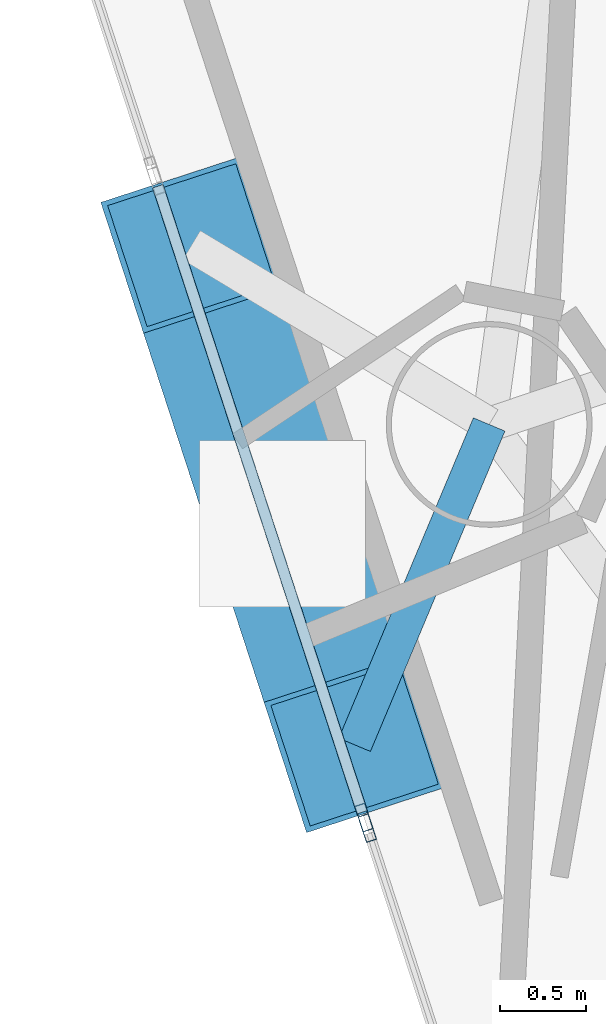
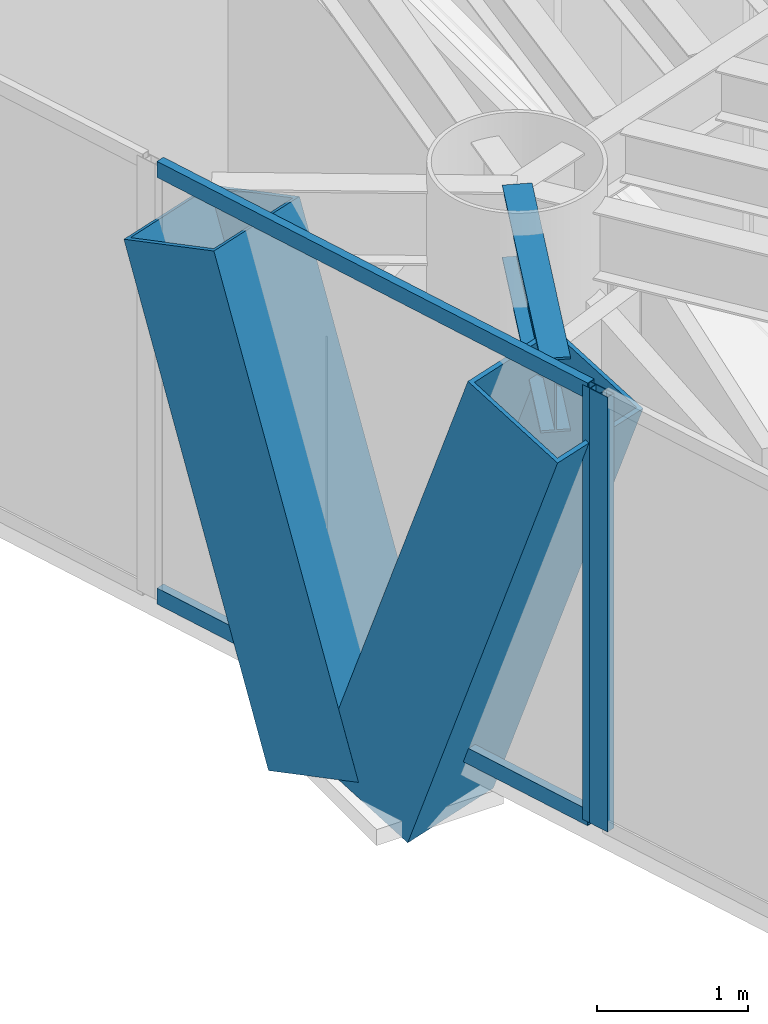
# One storey, part 3 of 24: 6 members, 1 beam, 2 elements without a shape of their own.
"""IFC4 building model written with IfcOpenShell, lengths in metres."""

from ifc_helpers import new_model, si_unit, direction, frame, origin, origin_2d, place, context, subcontext, project, spatial, hollow_rectangle, i_section, extrude, material, layer, layer_set, material_profile, profile_set, type_object, element, aggregate, save


model = new_model("IFC4")

# Units and contexts
model_context = context("Model", 3, precision=1e-05, world=origin(), true_north=direction((0.0, 1.0)))
body_context = subcontext(model_context, "Body", "Model", "MODEL_VIEW")
ifc_project = project(units=[si_unit("LENGTHUNIT", "METRE"), si_unit("AREAUNIT", "SQUARE_METRE"), si_unit("VOLUMEUNIT", "CUBIC_METRE"), si_unit("PLANEANGLEUNIT", "RADIAN"), si_unit("MASSUNIT", "GRAM", prefix="KILO")], contexts=[model_context])

# Site, building, storey
site_placement = place(None, origin())
site = spatial("IfcSite", under=ifc_project, at=site_placement, CompositionType="ELEMENT")
building_placement = place(site_placement, origin())
building = spatial("IfcBuilding", under=site, at=building_placement, Name="Qianvela Tower", CompositionType="ELEMENT")
storey_placement = place(building_placement, frame((0.0, 0.0, 222.5)))
storey = spatial("IfcBuildingStorey", under=building, at=storey_placement, Name="L57", CompositionType="ELEMENT", Elevation=222.5)

# Beam
ifc_material_1 = material(Name="Steel Q355B", Category="steel")
ifc_material_profile_1 = material_profile(ifc_material_1, i_section(OverallWidth=0.199951171875, OverallDepth=0.60009765625, WebThickness=0.010986328125, FlangeThickness=0.01708984375, at=origin_2d()), Name="HN600x200x11x17")
ifc_profile_set_1 = profile_set([ifc_material_profile_1], Name="Steel Q355B")
beam_type = type_object("IfcBeamType", Name="BM-HN600-GIRD", PredefinedType="BEAM", material=ifc_profile_set_1)
beam_placement = place(storey_placement, frame((24.471923828125, 22.4599609375, 3.218017578125), z_axis=(-0.387205857675, -0.92199328836, 0.0), x_axis=(0.92199328836, -0.387205857675, 0.0)))
element("IfcBeam", 1, at=beam_placement, inside=storey, type_object=beam_type, Name="L57 Mega-Brace Column Tie Bracket F2-2", PredefinedType="BEAM", context=body_context, shape_type="SweptSolid", body=[
    extrude(i_section(OverallWidth=0.199951171875, OverallDepth=0.60009765625, WebThickness=0.010986328125, FlangeThickness=0.01708984375, at=origin_2d()), origin(), (0.0, 0.0, 1.0), 2.0263671875),
])

# Curtain wall, members
ifc_material_2 = material(Name="Anodised Architectural Aluminium and Insulated Spandrel Panel", Category="aluminium")
ifc_layer_1 = layer(ifc_material_2, 0.179931640625)
ifc_layer_set_1 = layer_set([ifc_layer_1], Name="Anodised Architectural Aluminium and Insulated Spandrel Panel")
curtain_wall_type_1 = type_object("IfcCurtainWallType", Name="CW-BRACEBAY", PredefinedType="USERDEFINED", material=ifc_layer_set_1)
curtain_wall_1_placement = place(storey_placement, origin())
curtain_wall_1 = element("IfcCurtainWall", 2, at=curtain_wall_1_placement, inside=storey, type_object=curtain_wall_type_1, Name="L57 CW-BRACEBAY Curtain Wall 04B", ObjectType="CURTAIN_WALL_SYSTEM", PredefinedType="USERDEFINED")
ifc_material_3 = material(Name="Anodised Architectural Aluminium 6063-T6", Category="aluminium")
ifc_material_profile_2 = material_profile(ifc_material_3, hollow_rectangle(XDim=0.06494140625, YDim=0.159912109375, WallThickness=0.0048828125, at=origin_2d()), Name="ALU-MULL-65x160")
ifc_profile_set_2 = profile_set([ifc_material_profile_2], Name="Anodised Architectural Aluminium 6063-T6")
member_type_1 = type_object("IfcMemberType", Name="CW-BRACEBAY-MULL", PredefinedType="MULLION", material=ifc_profile_set_2)
member_1_placement = place(storey_placement, frame((23.741455078125, 20.167724609375, 0.0), z_axis=(0.0, 0.0, 1.0), x_axis=(0.950622291811, 0.310350218806, 0.0)))
member_1 = element("IfcMember", 3, at=member_1_placement, type_object=member_type_1, Name="CW-9 mullion 2", PredefinedType="MULLION", context=body_context, shape_type="SweptSolid", body=[
    extrude(hollow_rectangle(XDim=0.06494140625, YDim=0.159912109375, WallThickness=0.0048828125, at=origin_2d()), origin(), (0.0, 0.0, 1.0), 3.52001953125),
])
ifc_material_4 = material(Name="Anodised Architectural Aluminium 6063-T6", Category="aluminium")
ifc_material_profile_3 = material_profile(ifc_material_4, hollow_rectangle(XDim=0.06494140625, YDim=0.1298828125, WallThickness=0.00439453125, at=origin_2d()), Name="ALU-TRAN-65x130")
ifc_profile_set_3 = profile_set([ifc_material_profile_3], Name="Anodised Architectural Aluminium 6063-T6")
member_type_2 = type_object("IfcMemberType", Name="CW-BRACEBAY-TRAN", PredefinedType="USERDEFINED", material=ifc_profile_set_3)
member_2_placement = place(storey_placement, frame((22.53955078125, 23.84912109375, 0.032470703125), z_axis=(0.310366609018, -0.950616940732, 0.0), x_axis=(0.950616940732, 0.310366609018, 0.0)))
member_2 = element("IfcMember", 4, at=member_2_placement, type_object=member_type_2, Name="CW-9 transom 1.1", ObjectType="TRANSOM", PredefinedType="USERDEFINED", context=body_context, shape_type="SweptSolid", body=[
    extrude(hollow_rectangle(XDim=0.06494140625, YDim=0.1298828125, WallThickness=0.00439453125, at=origin_2d()), origin(), (0.0, 0.0, 1.0), 3.84033203125),
])
member_3_placement = place(storey_placement, frame((22.53955078125, 23.84912109375, 3.487548828125), z_axis=(0.310366609018, -0.950616940732, 0.0), x_axis=(0.950616940732, 0.310366609018, 0.0)))
member_3 = element("IfcMember", 5, at=member_3_placement, type_object=member_type_2, Name="CW-9 transom 1.2", ObjectType="TRANSOM", PredefinedType="USERDEFINED", context=body_context, shape_type="SweptSolid", body=[
    extrude(hollow_rectangle(XDim=0.06494140625, YDim=0.1298828125, WallThickness=0.00439453125, at=origin_2d()), origin(), (0.0, 0.0, 1.0), 3.84033203125),
])
aggregate(curtain_wall_1, [member_1, member_2, member_3])

# Curtain wall, member
ifc_material_5 = material(Name="Anodised Architectural Aluminium and Low-E Glass", Category="aluminium")
ifc_layer_2 = layer(ifc_material_5, 0.159912109375)
ifc_layer_set_2 = layer_set([ifc_layer_2], Name="Anodised Architectural Aluminium and Low-E Glass")
curtain_wall_type_2 = type_object("IfcCurtainWallType", Name="CW-COLIV-Z56", PredefinedType="USERDEFINED", material=ifc_layer_set_2)
curtain_wall_2_placement = place(storey_placement, origin())
curtain_wall_2 = element("IfcCurtainWall", 6, at=curtain_wall_2_placement, inside=storey, type_object=curtain_wall_type_2, Name="L57 CW-COLIV-Z56 Curtain Wall 04C", ObjectType="CURTAIN_WALL_SYSTEM", PredefinedType="USERDEFINED")
ifc_material_6 = material(Name="Anodised Architectural Aluminium 6063-T6", Category="aluminium")
ifc_material_profile_4 = material_profile(ifc_material_6, hollow_rectangle(XDim=0.06494140625, YDim=0.159912109375, WallThickness=0.0048828125, at=origin_2d()), Name="ALU-MULL-65x160")
ifc_profile_set_4 = profile_set([ifc_material_profile_4], Name="Anodised Architectural Aluminium 6063-T6")
member_type_3 = type_object("IfcMemberType", Name="CW-COLIV-Z56-MULL", PredefinedType="MULLION", material=ifc_profile_set_4)
member_4_placement = place(storey_placement, frame((23.761474609375, 20.10595703125, 0.0), z_axis=(0.0, 0.0, 1.0), x_axis=(0.950624538383, 0.310343337328, 0.0)))
member_4 = element("IfcMember", 7, at=member_4_placement, type_object=member_type_3, Name="CW-5 mullion 1", PredefinedType="MULLION", context=body_context, shape_type="SweptSolid", body=[
    extrude(hollow_rectangle(XDim=0.06494140625, YDim=0.159912109375, WallThickness=0.0048828125, at=origin_2d()), origin(), (0.0, 0.0, 1.0), 3.52001953125),
])
aggregate(curtain_wall_2, [member_4])

# Members
ifc_material_7 = material(Name="Steel Q420GJC", Category="steel")
ifc_material_profile_5 = material_profile(ifc_material_7, hollow_rectangle(XDim=0.85009765625, YDim=0.85009765625, WallThickness=0.031982421875, at=origin_2d()), Name="MBOX-850x850x32")
ifc_profile_set_5 = profile_set([ifc_material_profile_5], Name="Steel Q420GJC")
member_type_4 = type_object("IfcMemberType", Name="MBR-MBRACE-850", PredefinedType="BRACE", material=ifc_profile_set_5)
member_5_placement = place(storey_placement, frame((23.135986328125, 22.279541015625, -0.48193359375), z_axis=(-0.102124666452, 0.312854149026, 0.944294887172), x_axis=(-0.950633955547, -0.310314489771, 0.0)))
element("IfcMember", 8, at=member_5_placement, inside=storey, type_object=member_type_4, Name="L57 Tier 9 Exterior Mega-Brace F2A", PredefinedType="BRACE", context=body_context, shape_type="SweptSolid", body=[
    extrude(hollow_rectangle(XDim=0.85009765625, YDim=0.85009765625, WallThickness=0.031982421875, at=origin_2d()), origin(), (0.0, 0.0, 1.0), 3.918212890625),
])
member_6_placement = place(storey_placement, frame((23.272705078125, 21.861328125, -0.48193359375), z_axis=(0.105385038781, -0.322795987457, 0.9405831936), x_axis=(0.950620864408, 0.310354590995, 0.0)))
element("IfcMember", 9, at=member_6_placement, inside=storey, type_object=member_type_4, Name="L57 Tier 9 Exterior Mega-Brace F2B", PredefinedType="BRACE", context=body_context, shape_type="SweptSolid", body=[
    extrude(hollow_rectangle(XDim=0.85009765625, YDim=0.85009765625, WallThickness=0.031982421875, at=origin_2d()), origin(), (0.0, 0.0, 1.0), 3.93359375),
])

save(model, "model.ifc")
